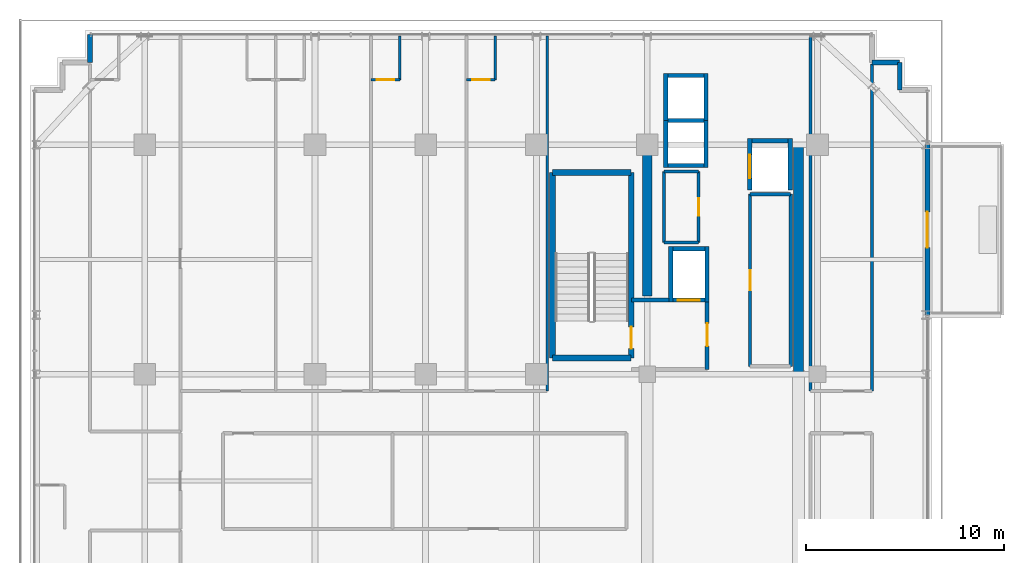
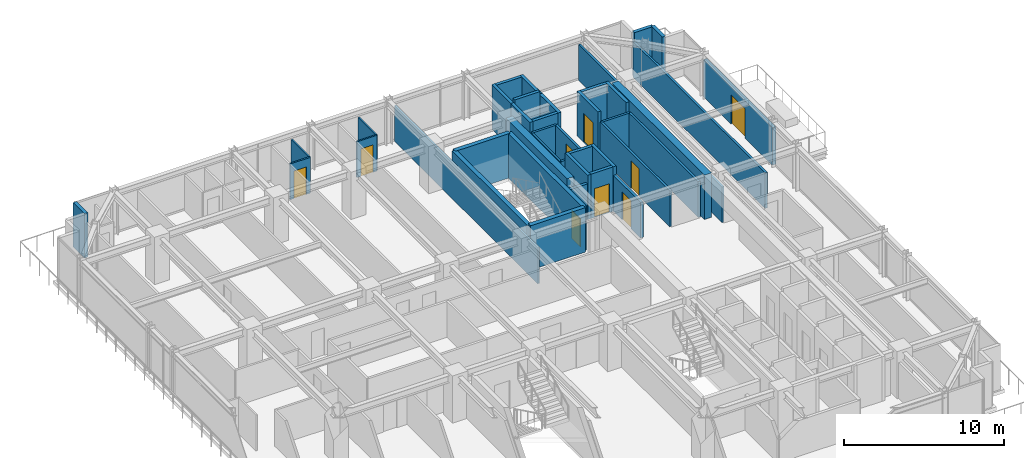
# One storey, part 28 of 33: 40 walls, 9 doors, 9 openings.
"""IFC4 building model written with IfcOpenShell, lengths in metres."""

from ifc_helpers import new_model, si_unit, direction, frame, frame_2d, origin, place, context, subcontext, project, spatial, rectangle, extrude, source, transform, mapped, material, layer, layer_set, type_object, element, fill, save


model = new_model("IFC4")

# Units and contexts
model_context = context("Model", 3, precision=1e-05, world=origin(), true_north=direction((0.0, 1.0)))
body_context = subcontext(model_context, "Body", "Model", "MODEL_VIEW")
ifc_project = project(units=[si_unit("LENGTHUNIT", "METRE"), si_unit("AREAUNIT", "SQUARE_METRE"), si_unit("VOLUMEUNIT", "CUBIC_METRE"), si_unit("PLANEANGLEUNIT", "RADIAN"), si_unit("MASSUNIT", "GRAM", prefix="KILO")], contexts=[model_context])

# Site, building, storey
site_placement = place(None, origin())
site = spatial("IfcSite", under=ifc_project, at=site_placement, CompositionType="ELEMENT")
building_placement = place(site_placement, origin())
building = spatial("IfcBuilding", under=site, at=building_placement, Name="Nahalor Promenade Grand Hotel", CompositionType="ELEMENT")
storey_placement = place(building_placement, frame((0.0, 0.0, 149.0)))
storey = spatial("IfcBuildingStorey", under=building, at=storey_placement, Name="L37", CompositionType="ELEMENT", Elevation=149.0)

# Walls
ifc_material_1 = material(Name="Concrete B-60 (C50/60)", Category="concrete")
ifc_layer_1 = layer(ifc_material_1, 0.5)
ifc_layer_set_1 = layer_set([ifc_layer_1], Name="Concrete B-60 (C50/60)")
wall_type_1 = type_object("IfcWallType", Name="Wall-CoreShear-500", PredefinedType="SHEAR", material=ifc_layer_set_1)
shared_shape_1 = source(origin(), body_context, "Body", "SweptSolid", [
    extrude(rectangle(XDim=7.64990234375, YDim=0.5, at=frame_2d((3.824951171875, 0.0))), origin(), (0.0, 0.0, 1.0), 3.389892578125),
])
wall_1_placement = place(storey_placement, frame((8.39990234375, 9.35009765625, 0.0), z_axis=(0.0, 0.0, 1.0), x_axis=(0.0, 1.0, 0.0)))
element("IfcWall", 1, at=wall_1_placement, inside=storey, type_object=wall_type_1, Name="CWALL-L37-NW", PredefinedType="SHEAR", context=body_context, shape_type="MappedRepresentation", body=[
    mapped(shared_shape_1, transform((0.0, 0.0, 0.0), scale=1.0)),
])
shared_shape_2 = source(origin(), body_context, "Body", "SweptSolid", [
    extrude(rectangle(XDim=11.60009765625, YDim=0.5, at=frame_2d((5.800048828125, 0.0))), origin(), (0.0, 0.0, 1.0), 3.389892578125),
])
wall_2_placement = place(storey_placement, frame((16.050048828125, 5.39990234375, 0.0), z_axis=(0.0, 0.0, 1.0), x_axis=(0.0, 1.0, 0.0)))
element("IfcWall", 2, at=wall_2_placement, inside=storey, type_object=wall_type_1, Name="CWALL-L37-NE", PredefinedType="SHEAR", context=body_context, shape_type="MappedRepresentation", body=[
    mapped(shared_shape_2, transform((0.0, 0.0, 0.0), scale=1.0)),
])
ifc_material_2 = material(Name="Concrete B-50 (C40/50)", Category="concrete")
ifc_layer_2 = layer(ifc_material_2, 0.300048828125)
ifc_layer_set_2 = layer_set([ifc_layer_2], Name="Concrete B-50 (C40/50)")
wall_type_2 = type_object("IfcWallType", Name="Wall-ShaftShear-300", PredefinedType="SHEAR", material=ifc_layer_set_2)
shared_shape_3 = source(origin(), body_context, "Body", "SweptSolid", [
    extrude(rectangle(XDim=3.97998046875, YDim=0.300048828125, at=frame_2d((1.989990234375, 0.0))), origin(), (0.0, 0.0, 1.0), 3.389892578125),
])
for number, where, z_axis, x_axis, name in (
    (3, (3.610107421875, 6.2099609375, 0.0), (0.0, 0.0, 1.0), (1.0, 0.0, 0.0), "L37 Exit Stair ST1 Shaft Wall S"),
    (4, (3.610107421875, 15.590087890625, 0.0), (0.0, 0.0, 1.0), (1.0, 0.0, 0.0), "L37 Exit Stair ST1 Shaft Wall N"),
):
    element("IfcWall", number, at=place(storey_placement, frame(where, z_axis=z_axis, x_axis=x_axis)), inside=storey, type_object=wall_type_2, Name=name, PredefinedType="SHEAR", context=body_context, shape_type="MappedRepresentation", body=[
        mapped(shared_shape_3, transform((0.0, 0.0, 0.0), scale=1.0)),
    ])
shared_shape_4 = source(origin(), body_context, "Body", "SweptSolid", [
    extrude(rectangle(XDim=9.380126953125, YDim=0.300048828125, at=frame_2d((4.68994140625, 0.0))), origin(), (0.0, 0.0, 1.0), 3.389892578125),
])
wall_3_placement = place(storey_placement, frame((3.610107421875, 6.2099609375, 0.0), z_axis=(0.0, 0.0, 1.0), x_axis=(0.0, 1.0, 0.0)))
element("IfcWall", 5, at=wall_3_placement, inside=storey, type_object=wall_type_2, Name="L37 Exit Stair ST1 Shaft Wall W", PredefinedType="SHEAR", context=body_context, shape_type="MappedRepresentation", body=[
    mapped(shared_shape_4, transform((0.0, 0.0, 0.0), scale=1.0)),
])

# Wall, opening, door
wall_4_placement = place(storey_placement, frame((7.590087890625, 6.2099609375, 0.0), z_axis=(0.0, 0.0, 1.0), x_axis=(0.0, 1.0, 0.0)))
wall_4 = element("IfcWall", 6, at=wall_4_placement, inside=storey, type_object=wall_type_2, Name="L37 Exit Stair ST1 Shaft Wall E", PredefinedType="SHEAR", context=body_context, shape_type="MappedRepresentation", body=[
    mapped(shared_shape_4, transform((0.0, 0.0, 0.0), scale=1.0)),
])
opening_1_placement = place(wall_4_placement, frame((0.489990234375, 0.0, 0.0)))
opening_1 = element("IfcOpeningElement", 7, at=opening_1_placement, cuts=wall_4, Name="Opening D-ST1", PredefinedType="OPENING", context=body_context, shape_type="SweptSolid", body=[
    extrude(rectangle(XDim=1.10009765625, YDim=2.14990234375, at=frame_2d((0.550048828125, 1.074951171875))), frame((0.0, 0.159912109375, 0.0), z_axis=(0.0, -1.0, 0.0), x_axis=(1.0, 0.0, 0.0)), (0.0, 0.0, 1.0), 0.320068359375),
])
ifc_material_3 = material(Name="Steel S355JR", Category="steel")
door_type_1 = type_object("IfcDoorType", Name="Door-StairFire-1100", OperationType="NOTDEFINED", PredefinedType="DOOR", material=ifc_material_3)
shared_shape_5 = source(origin(), body_context, "Body", "SweptSolid", [
    extrude(rectangle(XDim=1.10009765625, YDim=2.14990234375, at=frame_2d((0.550048828125, 1.074951171875))), frame((0.0, 0.02490234375, 0.0), z_axis=(0.0, -1.0, 0.0), x_axis=(1.0, 0.0, 0.0)), (0.0, 0.0, 1.0), 0.050048828125),
])
door_1_placement = place(opening_1_placement, origin())
door_1 = element("IfcDoor", 8, at=door_1_placement, inside=storey, type_object=door_type_1, Name="DR-STAIR-ST1-L37", OperationType="SINGLE_SWING_RIGHT", OverallHeight=2.14990234375, OverallWidth=1.10009765625, PredefinedType="DOOR", context=body_context, shape_type="MappedRepresentation", body=[
    mapped(shared_shape_5, transform((0.0, 0.0, 0.0), scale=1.0)),
])
fill(opening_1, door_1)

# Walls
ifc_layer_3 = layer(ifc_material_2, 0.219970703125)
ifc_layer_set_3 = layer_set([ifc_layer_3], Name="Concrete B-50 (C40/50)")
wall_type_3 = type_object("IfcWallType", Name="Wall-LiftShaft-220", PredefinedType="SHEAR", material=ifc_layer_set_3)
shared_shape_6 = source(origin(), body_context, "Body", "SweptSolid", [
    extrude(rectangle(XDim=1.820068359375, YDim=0.219970703125, at=frame_2d((0.91015625, 0.0))), origin(), (0.0, 0.0, 1.0), 3.64990234375),
])
wall_5_placement = place(storey_placement, frame((9.43994140625, 18.22509765625, 0.0), z_axis=(0.0, 0.0, 1.0), x_axis=(1.0, 0.0, 0.0)))
element("IfcWall", 9, at=wall_5_placement, inside=storey, type_object=wall_type_3, Name="L37 Lift OB1 Hoistway Wall N", PredefinedType="SHEAR", context=body_context, shape_type="MappedRepresentation", body=[
    mapped(shared_shape_6, transform((0.0, 0.0, 0.0), scale=1.0)),
])
shared_shape_7 = source(origin(), body_context, "Body", "SweptSolid", [
    extrude(rectangle(XDim=1.820068359375, YDim=0.219970703125, at=frame_2d((0.91015625, 0.0))), origin(), (0.0, 0.0, 1.0), 3.389892578125),
])
for number, where, z_axis, x_axis, name in (
    (10, (9.43994140625, 15.949951171875, 0.0), (0.0, 0.0, 1.0), (1.0, 0.0, 0.0), "L37 Lift OB1 Hoistway Wall S"),
    (11, (9.43994140625, 20.5, 0.0), (0.0, 0.0, 1.0), (1.0, 0.0, 0.0), "L37 Lift OB2 Hoistway Wall N"),
    (12, (13.68994140625, 17.199951171875, 0.0), (0.0, 0.0, 1.0), (1.0, 0.0, 0.0), "L37 Lift SV1 Hoistway Wall N"),
):
    element("IfcWall", number, at=place(storey_placement, frame(where, z_axis=z_axis, x_axis=x_axis)), inside=storey, type_object=wall_type_3, Name=name, PredefinedType="SHEAR", context=body_context, shape_type="MappedRepresentation", body=[
        mapped(shared_shape_7, transform((0.0, 0.0, 0.0), scale=1.0)),
    ])
shared_shape_8 = source(origin(), body_context, "Body", "SweptSolid", [
    extrude(rectangle(XDim=2.385009765625, YDim=0.219970703125, at=frame_2d((1.1923828125, 0.0))), origin(), (0.0, 0.0, 1.0), 3.389892578125),
])
for number, where, z_axis, x_axis, name in (
    (13, (9.330078125, 15.840087890625, 0.0), (0.0, 0.0, 1.0), (0.0, 1.0, 0.0), "L37 Lift OB1 Hoistway Wall W"),
    (14, (11.3701171875, 15.840087890625, 0.0), (0.0, 0.0, 1.0), (0.0, 1.0, 0.0), "L37 Lift OB1 Hoistway Wall E"),
    (15, (9.330078125, 18.22509765625, 0.0), (0.0, 0.0, 1.0), (0.0, 1.0, 0.0), "L37 Lift OB2 Hoistway Wall W"),
    (16, (11.3701171875, 18.22509765625, 0.0), (0.0, 0.0, 1.0), (0.0, 1.0, 0.0), "L37 Lift OB2 Hoistway Wall E"),
):
    element("IfcWall", number, at=place(storey_placement, frame(where, z_axis=z_axis, x_axis=x_axis)), inside=storey, type_object=wall_type_3, Name=name, PredefinedType="SHEAR", context=body_context, shape_type="MappedRepresentation", body=[
        mapped(shared_shape_8, transform((0.0, 0.0, 0.0), scale=1.0)),
    ])
shared_shape_9 = source(origin(), body_context, "Body", "SweptSolid", [
    extrude(rectangle(XDim=2.820068359375, YDim=0.219970703125, at=frame_2d((1.41015625, 0.0))), origin(), (0.0, 0.0, 1.0), 3.389892578125),
])
for number, where, z_axis, x_axis, name in (
    (17, (9.580078125, 9.0400390625, 0.0), (0.0, 0.0, 1.0), (0.0, 1.0, 0.0), "L37 Lift FL1 Hoistway Wall W"),
    (18, (11.419921875, 9.0400390625, 0.0), (0.0, 0.0, 1.0), (0.0, 1.0, 0.0), "L37 Lift FL1 Hoistway Wall E"),
):
    element("IfcWall", number, at=place(storey_placement, frame(where, z_axis=z_axis, x_axis=x_axis)), inside=storey, type_object=wall_type_3, Name=name, PredefinedType="SHEAR", context=body_context, shape_type="MappedRepresentation", body=[
        mapped(shared_shape_9, transform((0.0, 0.0, 0.0), scale=1.0)),
    ])

# Wall, opening, door
shared_shape_10 = source(origin(), body_context, "Body", "SweptSolid", [
    extrude(rectangle(XDim=1.6201171875, YDim=0.219970703125, at=frame_2d((0.81005859375, 0.0))), origin(), (0.0, 0.0, 1.0), 3.389892578125),
])
wall_6_placement = place(storey_placement, frame((9.68994140625, 9.14990234375, 0.0), z_axis=(0.0, 0.0, 1.0), x_axis=(1.0, 0.0, 0.0)))
wall_6 = element("IfcWall", 19, at=wall_6_placement, inside=storey, type_object=wall_type_3, Name="L37 Lift FL1 Hoistway Wall S", PredefinedType="SHEAR", context=body_context, shape_type="MappedRepresentation", body=[
    mapped(shared_shape_10, transform((0.0, 0.0, 0.0), scale=1.0)),
])
opening_2_placement = place(wall_6_placement, frame((0.260009765625, 0.0, 0.0)))
opening_2 = element("IfcOpeningElement", 20, at=opening_2_placement, cuts=wall_6, Name="Opening LD-02", PredefinedType="OPENING", context=body_context, shape_type="SweptSolid", body=[
    extrude(rectangle(XDim=1.10009765625, YDim=2.199951171875, at=frame_2d((0.550048828125, 1.10009765625))), frame((0.0, 0.119873046875, 0.0), z_axis=(0.0, -1.0, 0.0), x_axis=(1.0, 0.0, 0.0)), (0.0, 0.0, 1.0), 0.239990234375),
])
door_type_2 = type_object("IfcDoorType", Name="Door-LiftFF-1100", OperationType="DOUBLE_DOOR_SLIDING", PredefinedType="DOOR", material=ifc_material_3)
shared_shape_11 = source(origin(), body_context, "Body", "SweptSolid", [
    extrude(rectangle(XDim=1.10009765625, YDim=2.199951171875, at=frame_2d((0.550048828125, 1.10009765625))), frame((0.0, 0.02490234375, 0.0), z_axis=(0.0, -1.0, 0.0), x_axis=(1.0, 0.0, 0.0)), (0.0, 0.0, 1.0), 0.050048828125),
])
door_2_placement = place(opening_2_placement, frame((1.10009765625, 0.0, 0.0), z_axis=(0.0, 0.0, 1.0), x_axis=(-1.0, 0.0, 0.0)))
door_2 = element("IfcDoor", 21, at=door_2_placement, inside=storey, type_object=door_type_2, Name="DR-LIFT-FL1-L37", OperationType="DOUBLE_DOOR_SLIDING", OverallHeight=2.199951171875, OverallWidth=1.10009765625, PredefinedType="DOOR", context=body_context, shape_type="MappedRepresentation", body=[
    mapped(shared_shape_11, transform((0.0, 0.0, 0.0), scale=1.0)),
])
fill(opening_2, door_2)

# Wall
wall_7_placement = place(storey_placement, frame((9.68994140625, 11.75, 0.0), z_axis=(0.0, 0.0, 1.0), x_axis=(1.0, 0.0, 0.0)))
element("IfcWall", 22, at=wall_7_placement, inside=storey, type_object=wall_type_3, Name="L37 Lift FL1 Hoistway Wall N", PredefinedType="SHEAR", context=body_context, shape_type="MappedRepresentation", body=[
    mapped(shared_shape_10, transform((0.0, 0.0, 0.0), scale=1.0)),
])

# Wall, opening, door
shared_shape_12 = source(origin(), body_context, "Body", "SweptSolid", [
    extrude(rectangle(XDim=2.610107421875, YDim=0.219970703125, at=frame_2d((1.30517578125, 0.0))), origin(), (0.0, 0.0, 1.0), 3.389892578125),
])
wall_8_placement = place(storey_placement, frame((13.580078125, 14.699951171875, 0.0), z_axis=(0.0, 0.0, 1.0), x_axis=(0.0, 1.0, 0.0)))
wall_8 = element("IfcWall", 23, at=wall_8_placement, inside=storey, type_object=wall_type_3, Name="L37 Lift SV1 Hoistway Wall W", PredefinedType="SHEAR", context=body_context, shape_type="MappedRepresentation", body=[
    mapped(shared_shape_12, transform((0.0, 0.0, 0.0), scale=1.0)),
])
opening_3_placement = place(wall_8_placement, frame((0.60009765625, 0.0, 0.0)))
opening_3 = element("IfcOpeningElement", 24, at=opening_3_placement, cuts=wall_8, Name="Opening LD-03", PredefinedType="OPENING", context=body_context, shape_type="SweptSolid", body=[
    extrude(rectangle(XDim=1.199951171875, YDim=2.199951171875, at=frame_2d((0.60009765625, 1.10009765625))), frame((0.0, 0.119873046875, 0.0), z_axis=(0.0, -1.0, 0.0), x_axis=(1.0, 0.0, 0.0)), (0.0, 0.0, 1.0), 0.239990234375),
])
door_type_3 = type_object("IfcDoorType", Name="Door-LiftService-1200", OperationType="DOUBLE_DOOR_SLIDING", PredefinedType="DOOR", material=ifc_material_3)
shared_shape_13 = source(origin(), body_context, "Body", "SweptSolid", [
    extrude(rectangle(XDim=1.199951171875, YDim=2.199951171875, at=frame_2d((0.60009765625, 1.10009765625))), frame((0.0, 0.02490234375, 0.0), z_axis=(0.0, -1.0, 0.0), x_axis=(1.0, 0.0, 0.0)), (0.0, 0.0, 1.0), 0.050048828125),
])
door_3_placement = place(opening_3_placement, origin())
door_3 = element("IfcDoor", 25, at=door_3_placement, inside=storey, type_object=door_type_3, Name="DR-LIFT-SV1-L37", OperationType="DOUBLE_DOOR_SLIDING", OverallHeight=2.199951171875, OverallWidth=1.199951171875, PredefinedType="DOOR", context=body_context, shape_type="MappedRepresentation", body=[
    mapped(shared_shape_13, transform((0.0, 0.0, 0.0), scale=1.0)),
])
fill(opening_3, door_3)

# Walls
wall_9_placement = place(storey_placement, frame((15.6201171875, 14.699951171875, 0.0), z_axis=(0.0, 0.0, 1.0), x_axis=(0.0, 1.0, 0.0)))
element("IfcWall", 26, at=wall_9_placement, inside=storey, type_object=wall_type_3, Name="L37 Lift SV1 Hoistway Wall E", PredefinedType="SHEAR", context=body_context, shape_type="MappedRepresentation", body=[
    mapped(shared_shape_12, transform((0.0, 0.0, 0.0), scale=1.0)),
])
ifc_material_4 = material(Name="Concrete B-40 (C32/40)", Category="concrete")
ifc_layer_4 = layer(ifc_material_4, 0.25)
ifc_layer_set_4 = layer_set([ifc_layer_4], Name="Concrete B-40 (C32/40)")
wall_type_4 = type_object("IfcWallType", Name="Wall-BronzePier-250", PredefinedType="STANDARD", material=ifc_layer_set_4)
shared_shape_14 = source(origin(), body_context, "Body", "SweptSolid", [
    extrude(rectangle(XDim=1.400146484375, YDim=0.25, at=frame_2d((0.7001953125, 0.0))), origin(), (0.0, 0.0, 1.0), 3.389892578125),
])
wall_10_placement = place(storey_placement, frame((-19.760009765625, 21.159912109375, 0.0), z_axis=(0.0, 0.0, 1.0), x_axis=(0.0, 1.0, 0.0)))
element("IfcWall", 27, at=wall_10_placement, inside=storey, type_object=wall_type_4, Name="W-L37-SR-09", PredefinedType="STANDARD", context=body_context, shape_type="MappedRepresentation", body=[
    mapped(shared_shape_14, transform((0.0, 0.0, 0.0), scale=1.0)),
])
shared_shape_15 = source(origin(), body_context, "Body", "SweptSolid", [
    extrude(rectangle(XDim=1.39990234375, YDim=0.25, at=frame_2d((0.699951171875, 0.0))), origin(), (0.0, 0.0, 1.0), 3.389892578125),
])
for number, where, z_axis, x_axis, name in (
    (28, (21.159912109375, 19.760009765625, 0.0), (0.0, 0.0, 1.0), (0.0, 1.0, 0.0), "W-L37-SR-06"),
    (29, (19.760009765625, 21.159912109375, 0.0), (0.0, 0.0, 1.0), (1.0, 0.0, 0.0), "W-L37-SR-07"),
):
    element("IfcWall", number, at=place(storey_placement, frame(where, z_axis=z_axis, x_axis=x_axis)), inside=storey, type_object=wall_type_4, Name=name, PredefinedType="STANDARD", context=body_context, shape_type="MappedRepresentation", body=[
        mapped(shared_shape_15, transform((0.0, 0.0, 0.0), scale=1.0)),
    ])

# Wall, opening, door
ifc_layer_5 = layer(ifc_material_4, 0.260009765625)
ifc_layer_set_5 = layer_set([ifc_layer_5], Name="Concrete B-40 (C32/40)")
wall_type_5 = type_object("IfcWallType", Name="Wall-BalconyWall-260", PredefinedType="STANDARD", material=ifc_layer_set_5)
shared_shape_16 = source(origin(), body_context, "Body", "SweptSolid", [
    extrude(rectangle(XDim=8.60009765625, YDim=0.260009765625, at=frame_2d((4.300048828125, 0.0))), origin(), (0.0, 0.0, 1.0), 2.8701171875),
])
wall_11_placement = place(storey_placement, frame((22.56005859375, 8.39990234375, 0.0), z_axis=(0.0, 0.0, 1.0), x_axis=(0.0, 1.0, 0.0)))
wall_11 = element("IfcWall", 30, at=wall_11_placement, inside=storey, type_object=wall_type_5, Name="W-L37-BALC-E-2", PredefinedType="STANDARD", context=body_context, shape_type="MappedRepresentation", body=[
    mapped(shared_shape_16, transform((0.0, 0.0, 0.0), scale=1.0)),
])
opening_4_placement = place(wall_11_placement, frame((3.39990234375, 0.0, 0.0)))
opening_4 = element("IfcOpeningElement", 31, at=opening_4_placement, cuts=wall_11, Name="Opening D-BC1", PredefinedType="OPENING", context=body_context, shape_type="SweptSolid", body=[
    extrude(rectangle(XDim=1.800048828125, YDim=2.25, at=frame_2d((0.89990234375, 1.125))), frame((0.0, 0.139892578125, 0.0), z_axis=(0.0, -1.0, 0.0), x_axis=(1.0, 0.0, 0.0)), (0.0, 0.0, 1.0), 0.280029296875),
])
ifc_material_5 = material(Name="Anodised Bronze Aluminium EN AW-6063 T6", Category="aluminium")
door_type_4 = type_object("IfcDoorType", Name="Door-BalconySlide-1800", OperationType="DOUBLE_DOOR_SLIDING", PredefinedType="DOOR", material=ifc_material_5)
shared_shape_17 = source(origin(), body_context, "Body", "SweptSolid", [
    extrude(rectangle(XDim=1.800048828125, YDim=2.25, at=frame_2d((0.89990234375, 1.125))), frame((0.0, 0.02490234375, 0.0), z_axis=(0.0, -1.0, 0.0), x_axis=(1.0, 0.0, 0.0)), (0.0, 0.0, 1.0), 0.050048828125),
])
door_4_placement = place(opening_4_placement, frame((1.800048828125, 0.0, 0.0), z_axis=(0.0, 0.0, 1.0), x_axis=(-1.0, 0.0, 0.0)))
door_4 = element("IfcDoor", 32, at=door_4_placement, inside=storey, type_object=door_type_4, Name="DR-L37-BALC-E-2", OperationType="DOUBLE_DOOR_SLIDING", OverallHeight=2.25, OverallWidth=1.800048828125, PredefinedType="DOOR", context=body_context, shape_type="MappedRepresentation", body=[
    mapped(shared_shape_17, transform((0.0, 0.0, 0.0), scale=1.0)),
])
fill(opening_4, door_4)

# Wall
ifc_layer_6 = layer(ifc_material_4, 0.199951171875)
ifc_layer_set_6 = layer_set([ifc_layer_6], Name="Concrete B-40 (C32/40)")
wall_type_6 = type_object("IfcWallType", Name="Wall-PartFire-200", PredefinedType="PARTITIONING", material=ifc_layer_set_6)
shared_shape_18 = source(origin(), body_context, "Body", "SweptSolid", [
    extrude(rectangle(XDim=1.89990234375, YDim=0.199951171875, at=frame_2d((0.949951171875, 0.0))), origin(), (0.0, 0.0, 1.0), 2.72998046875),
])
wall_12_placement = place(storey_placement, frame((7.60009765625, 9.14990234375, 0.0), z_axis=(0.0, 0.0, 1.0), x_axis=(1.0, 0.0, 0.0)))
element("IfcWall", 33, at=wall_12_placement, inside=storey, type_object=wall_type_6, Name="W-L37-FF1-N", PredefinedType="PARTITIONING", context=body_context, shape_type="MappedRepresentation", body=[
    mapped(shared_shape_18, transform((0.0, 0.0, 0.0), scale=1.0)),
])

# Wall, opening, door
shared_shape_19 = source(origin(), body_context, "Body", "SweptSolid", [
    extrude(rectangle(XDim=3.5, YDim=0.199951171875, at=frame_2d((1.75, 0.0))), origin(), (0.0, 0.0, 1.0), 2.72998046875),
])
wall_13_placement = place(storey_placement, frame((11.419921875, 5.64990234375, 0.0), z_axis=(0.0, 0.0, 1.0), x_axis=(0.0, 1.0, 0.0)))
wall_13 = element("IfcWall", 34, at=wall_13_placement, inside=storey, type_object=wall_type_6, Name="W-L37-FF1-E", PredefinedType="PARTITIONING", context=body_context, shape_type="MappedRepresentation", body=[
    mapped(shared_shape_19, transform((0.0, 0.0, 0.0), scale=1.0)),
])
opening_5_placement = place(wall_13_placement, frame((1.175048828125, 0.0, 0.0)))
opening_5 = element("IfcOpeningElement", 35, at=opening_5_placement, cuts=wall_13, Name="Opening D-FF1", PredefinedType="OPENING", context=body_context, shape_type="SweptSolid", body=[
    extrude(rectangle(XDim=1.14990234375, YDim=2.14990234375, at=frame_2d((0.574951171875, 1.074951171875))), frame((0.0, 0.10986328125, 0.0), z_axis=(0.0, -1.0, 0.0), x_axis=(1.0, 0.0, 0.0)), (0.0, 0.0, 1.0), 0.219970703125),
])
door_type_5 = type_object("IfcDoorType", Name="Door-FFLobby-1150", OperationType="NOTDEFINED", PredefinedType="DOOR", material=ifc_material_3)
shared_shape_20 = source(origin(), body_context, "Body", "SweptSolid", [
    extrude(rectangle(XDim=1.14990234375, YDim=2.14990234375, at=frame_2d((0.574951171875, 1.074951171875))), frame((0.0, 0.02490234375, 0.0), z_axis=(0.0, -1.0, 0.0), x_axis=(1.0, 0.0, 0.0)), (0.0, 0.0, 1.0), 0.050048828125),
])
door_5_placement = place(opening_5_placement, frame((1.14990234375, 0.0, 0.0), z_axis=(0.0, 0.0, 1.0), x_axis=(-1.0, 0.0, 0.0)))
door_5 = element("IfcDoor", 36, at=door_5_placement, inside=storey, type_object=door_type_5, Name="DR-L37-FFL1", OperationType="SINGLE_SWING_LEFT", OverallHeight=2.14990234375, OverallWidth=1.14990234375, PredefinedType="DOOR", context=body_context, shape_type="MappedRepresentation", body=[
    mapped(shared_shape_20, transform((0.0, 0.0, 0.0), scale=1.0)),
])
fill(opening_5, door_5)

# Walls
ifc_material_6 = material(Name="Acoustic Mineral Gypsum", Category="gypsum")
ifc_layer_7 = layer(ifc_material_6, 0.14990234375)
ifc_layer_set_7 = layer_set([ifc_layer_7], Name="Acoustic Mineral Gypsum")
wall_type_7 = type_object("IfcWallType", Name="Wall-PartService-150", PredefinedType="PARTITIONING", material=ifc_layer_set_7)
shared_shape_21 = source(origin(), body_context, "Body", "SweptSolid", [
    extrude(rectangle(XDim=1.75, YDim=0.14990234375, at=frame_2d((0.875, 0.0))), origin(), (0.0, 0.0, 1.0), 2.72998046875),
])
for number, where, z_axis, x_axis, name in (
    (37, (9.25, 12.050048828125, 0.0), (0.0, 0.0, 1.0), (1.0, 0.0, 0.0), "W-L37-CK1A-S"),
    (38, (9.25, 15.64990234375, 0.0), (0.0, 0.0, 1.0), (1.0, 0.0, 0.0), "W-L37-CK1A-N"),
):
    element("IfcWall", number, at=place(storey_placement, frame(where, z_axis=z_axis, x_axis=x_axis)), inside=storey, type_object=wall_type_7, Name=name, PredefinedType="PARTITIONING", context=body_context, shape_type="MappedRepresentation", body=[
        mapped(shared_shape_21, transform((0.0, 0.0, 0.0), scale=1.0)),
    ])
shared_shape_22 = source(origin(), body_context, "Body", "SweptSolid", [
    extrude(rectangle(XDim=3.599853515625, YDim=0.14990234375, at=frame_2d((1.7998046875, 0.0))), origin(), (0.0, 0.0, 1.0), 2.72998046875),
])
wall_14_placement = place(storey_placement, frame((9.25, 12.050048828125, 0.0), z_axis=(0.0, 0.0, 1.0), x_axis=(0.0, 1.0, 0.0)))
element("IfcWall", 39, at=wall_14_placement, inside=storey, type_object=wall_type_7, Name="W-L37-CK1A-W", PredefinedType="PARTITIONING", context=body_context, shape_type="MappedRepresentation", body=[
    mapped(shared_shape_22, transform((0.0, 0.0, 0.0), scale=1.0)),
])

# Wall, opening, door
wall_15_placement = place(storey_placement, frame((11.0, 12.050048828125, 0.0), z_axis=(0.0, 0.0, 1.0), x_axis=(0.0, 1.0, 0.0)))
wall_15 = element("IfcWall", 40, at=wall_15_placement, inside=storey, type_object=wall_type_7, Name="W-L37-CK1A-E", PredefinedType="PARTITIONING", context=body_context, shape_type="MappedRepresentation", body=[
    mapped(shared_shape_22, transform((0.0, 0.0, 0.0), scale=1.0)),
])
opening_6_placement = place(wall_15_placement, frame((1.360107421875, 0.0, 0.0)))
opening_6 = element("IfcOpeningElement", 41, at=opening_6_placement, cuts=wall_15, Name="Opening D-03", PredefinedType="OPENING", context=body_context, shape_type="SweptSolid", body=[
    extrude(rectangle(XDim=0.8798828125, YDim=2.10009765625, at=frame_2d((0.43994140625, 1.050048828125))), frame((0.0, 0.0849609375, 0.0), z_axis=(0.0, -1.0, 0.0), x_axis=(1.0, 0.0, 0.0)), (0.0, 0.0, 1.0), 0.169921875),
])
ifc_material_7 = material(Name="Fire-Rated Timber Composite", Category="wood")
door_type_6 = type_object("IfcDoorType", Name="Door-BathSwing-880", OperationType="NOTDEFINED", PredefinedType="DOOR", material=ifc_material_7)
shared_shape_23 = source(origin(), body_context, "Body", "SweptSolid", [
    extrude(rectangle(XDim=0.8798828125, YDim=2.10009765625, at=frame_2d((0.43994140625, 1.050048828125))), frame((0.0, 0.02490234375, 0.0), z_axis=(0.0, -1.0, 0.0), x_axis=(1.0, 0.0, 0.0)), (0.0, 0.0, 1.0), 0.050048828125),
])
door_6_placement = place(opening_6_placement, origin())
door_6 = element("IfcDoor", 42, at=door_6_placement, inside=storey, type_object=door_type_6, Name="DR-L37-CK1A", OperationType="SINGLE_SWING_LEFT", OverallHeight=2.10009765625, OverallWidth=0.8798828125, PredefinedType="DOOR", context=body_context, shape_type="MappedRepresentation", body=[
    mapped(shared_shape_23, transform((0.0, 0.0, 0.0), scale=1.0)),
])
fill(opening_6, door_6)

# Wall
ifc_layer_8 = layer(ifc_material_6, 0.159912109375)
ifc_layer_set_8 = layer_set([ifc_layer_8], Name="Acoustic Mineral Gypsum")
wall_type_8 = type_object("IfcWallType", Name="Wall-PartCorridor-160", PredefinedType="PARTITIONING", material=ifc_layer_set_8)
shared_shape_24 = source(origin(), body_context, "Body", "SweptSolid", [
    extrude(rectangle(XDim=2.0498046875, YDim=0.159912109375, at=frame_2d((1.02490234375, 0.0))), origin(), (0.0, 0.0, 1.0), 2.72998046875),
])
wall_16_placement = place(storey_placement, frame((13.60009765625, 14.5, 0.0), z_axis=(0.0, 0.0, 1.0), x_axis=(1.0, 0.0, 0.0)))
element("IfcWall", 43, at=wall_16_placement, inside=storey, type_object=wall_type_8, Name="W-L37-FRB1-N", PredefinedType="PARTITIONING", context=body_context, shape_type="MappedRepresentation", body=[
    mapped(shared_shape_24, transform((0.0, 0.0, 0.0), scale=1.0)),
])

# Wall, opening, door
shared_shape_25 = source(origin(), body_context, "Body", "SweptSolid", [
    extrude(rectangle(XDim=8.699951171875, YDim=0.159912109375, at=frame_2d((4.35009765625, 0.0))), origin(), (0.0, 0.0, 1.0), 2.72998046875),
])
wall_17_placement = place(storey_placement, frame((13.60009765625, 5.800048828125, 0.0), z_axis=(0.0, 0.0, 1.0), x_axis=(0.0, 1.0, 0.0)))
wall_17 = element("IfcWall", 44, at=wall_17_placement, inside=storey, type_object=wall_type_8, Name="W-L37-FRB1-W", PredefinedType="PARTITIONING", context=body_context, shape_type="MappedRepresentation", body=[
    mapped(shared_shape_25, transform((0.0, 0.0, 0.0), scale=1.0)),
])
opening_7_placement = place(wall_17_placement, frame((3.85009765625, 0.0, 0.0)))
opening_7 = element("IfcOpeningElement", 45, at=opening_7_placement, cuts=wall_17, Name="Opening D-04", PredefinedType="OPENING", context=body_context, shape_type="SweptSolid", body=[
    extrude(rectangle(XDim=1.0, YDim=2.10009765625, at=frame_2d((0.5, 1.050048828125))), frame((0.0, 0.08984375, 0.0), z_axis=(0.0, -1.0, 0.0), x_axis=(1.0, 0.0, 0.0)), (0.0, 0.0, 1.0), 0.179931640625),
])
door_type_7 = type_object("IfcDoorType", Name="Door-ServiceFire-1000", OperationType="NOTDEFINED", PredefinedType="DOOR", material=ifc_material_3)
shared_shape_26 = source(origin(), body_context, "Body", "SweptSolid", [
    extrude(rectangle(XDim=1.0, YDim=2.10009765625, at=frame_2d((0.5, 1.050048828125))), frame((0.0, 0.02490234375, 0.0), z_axis=(0.0, -1.0, 0.0), x_axis=(1.0, 0.0, 0.0)), (0.0, 0.0, 1.0), 0.050048828125),
])
door_7_placement = place(opening_7_placement, frame((1.0, 0.0, 0.0), z_axis=(0.0, 0.0, 1.0), x_axis=(-1.0, 0.0, 0.0)))
door_7 = element("IfcDoor", 46, at=door_7_placement, inside=storey, type_object=door_type_7, Name="DR-L37-FRB1", OperationType="SINGLE_SWING_RIGHT", OverallHeight=2.10009765625, OverallWidth=1.0, PredefinedType="DOOR", context=body_context, shape_type="MappedRepresentation", body=[
    mapped(shared_shape_26, transform((0.0, 0.0, 0.0), scale=1.0)),
])
fill(opening_7, door_7)

# Walls
wall_18_placement = place(storey_placement, frame((15.64990234375, 5.800048828125, 0.0), z_axis=(0.0, 0.0, 1.0), x_axis=(0.0, 1.0, 0.0)))
element("IfcWall", 47, at=wall_18_placement, inside=storey, type_object=wall_type_8, Name="W-L37-FRB1-E", PredefinedType="PARTITIONING", context=body_context, shape_type="MappedRepresentation", body=[
    mapped(shared_shape_25, transform((0.0, 0.0, 0.0), scale=1.0)),
])
shared_shape_27 = source(origin(), body_context, "Body", "SweptSolid", [
    extrude(rectangle(XDim=17.949951171875, YDim=0.159912109375, at=frame_2d((8.97509765625, 0.0))), origin(), (0.0, 0.0, 1.0), 2.72998046875),
])
wall_19_placement = place(storey_placement, frame((16.64990234375, 4.550048828125, 0.0), z_axis=(0.0, 0.0, 1.0), x_axis=(0.0, 1.0, 0.0)))
element("IfcWall", 48, at=wall_19_placement, inside=storey, type_object=wall_type_8, Name="W-L37-ENE-W", PredefinedType="PARTITIONING", context=body_context, shape_type="MappedRepresentation", body=[
    mapped(shared_shape_27, transform((0.0, 0.0, 0.0), scale=1.0)),
])
shared_shape_28 = source(origin(), body_context, "Body", "SweptSolid", [
    extrude(rectangle(XDim=16.530029296875, YDim=0.159912109375, at=frame_2d((8.26513671875, 0.0))), origin(), (0.0, 0.0, 1.0), 2.72998046875),
])
wall_20_placement = place(storey_placement, frame((19.760009765625, 4.550048828125, 0.0), z_axis=(0.0, 0.0, 1.0), x_axis=(0.0, 1.0, 0.0)))
element("IfcWall", 49, at=wall_20_placement, inside=storey, type_object=wall_type_8, Name="W-L37-ENE-E", PredefinedType="PARTITIONING", context=body_context, shape_type="MappedRepresentation", body=[
    mapped(shared_shape_28, transform((0.0, 0.0, 0.0), scale=1.0)),
])

# Wall, opening, door
ifc_layer_9 = layer(ifc_material_6, 0.1201171875)
ifc_layer_set_9 = layer_set([ifc_layer_9], Name="Acoustic Mineral Gypsum")
wall_type_9 = type_object("IfcWallType", Name="Wall-PartBath-120", PredefinedType="PARTITIONING", material=ifc_layer_set_9)
shared_shape_29 = source(origin(), body_context, "Body", "SweptSolid", [
    extrude(rectangle(XDim=1.449951171875, YDim=0.1201171875, at=frame_2d((0.72509765625, 0.0))), origin(), (0.0, 0.0, 1.0), 2.72998046875),
])
wall_21_placement = place(storey_placement, frame((-0.739013671875, 20.280029296875, 0.0), z_axis=(0.0, 0.0, 1.0), x_axis=(1.0, 0.0, 0.0)))
wall_21 = element("IfcWall", 50, at=wall_21_placement, inside=storey, type_object=wall_type_9, Name="W-L37-N4-BH", PredefinedType="PARTITIONING", context=body_context, shape_type="MappedRepresentation", body=[
    mapped(shared_shape_29, transform((0.0, 0.0, 0.0), scale=1.0)),
])
opening_8_placement = place(wall_21_placement, frame((0.284912109375, 0.0, 0.0)))
opening_8 = element("IfcOpeningElement", 51, at=opening_8_placement, cuts=wall_21, Name="Opening D-03", PredefinedType="OPENING", context=body_context, shape_type="SweptSolid", body=[
    extrude(rectangle(XDim=0.8798828125, YDim=2.10009765625, at=frame_2d((0.43994140625, 1.050048828125))), frame((0.0, 0.070068359375, 0.0), z_axis=(0.0, -1.0, 0.0), x_axis=(1.0, 0.0, 0.0)), (0.0, 0.0, 1.0), 0.14013671875),
])
door_8_placement = place(opening_8_placement, origin())
door_8 = element("IfcDoor", 52, at=door_8_placement, inside=storey, type_object=door_type_6, Name="DR-L37-N4-BATH", OperationType="SINGLE_SWING_LEFT", OverallHeight=2.10009765625, OverallWidth=0.8798828125, PredefinedType="DOOR", context=body_context, shape_type="MappedRepresentation", body=[
    mapped(shared_shape_23, transform((0.0, 0.0, 0.0), scale=1.0)),
])
fill(opening_8, door_8)

# Walls
shared_shape_30 = source(origin(), body_context, "Body", "SweptSolid", [
    extrude(rectangle(XDim=2.219970703125, YDim=0.1201171875, at=frame_2d((1.10986328125, 0.0))), origin(), (0.0, 0.0, 1.0), 2.72998046875),
])
for number, where, z_axis, x_axis, name in (
    (53, (-4.10888671875, 20.280029296875, 0.0), (0.0, 0.0, 1.0), (0.0, 1.0, 0.0), "W-L37-N3-BV"),
    (54, (0.7109375, 20.280029296875, 0.0), (0.0, 0.0, 1.0), (0.0, 1.0, 0.0), "W-L37-N4-BV"),
):
    element("IfcWall", number, at=place(storey_placement, frame(where, z_axis=z_axis, x_axis=x_axis)), inside=storey, type_object=wall_type_9, Name=name, PredefinedType="PARTITIONING", context=body_context, shape_type="MappedRepresentation", body=[
        mapped(shared_shape_30, transform((0.0, 0.0, 0.0), scale=1.0)),
    ])
ifc_layer_10 = layer(ifc_material_6, 0.139892578125)
ifc_layer_set_10 = layer_set([ifc_layer_10], Name="Acoustic Mineral Gypsum")
wall_type_10 = type_object("IfcWallType", Name="Wall-PartSuite-140", PredefinedType="PARTITIONING", material=ifc_layer_set_10)
shared_shape_31 = source(origin(), body_context, "Body", "SweptSolid", [
    extrude(rectangle(XDim=17.949951171875, YDim=0.139892578125, at=frame_2d((8.97509765625, 0.0))), origin(), (0.0, 0.0, 1.0), 2.72998046875),
])
wall_22_placement = place(storey_placement, frame((3.340087890625, 4.550048828125, 0.0), z_axis=(0.0, 0.0, 1.0), x_axis=(0.0, 1.0, 0.0)))
element("IfcWall", 55, at=wall_22_placement, inside=storey, type_object=wall_type_10, Name="W-L37-NW-ENDE", PredefinedType="PARTITIONING", context=body_context, shape_type="MappedRepresentation", body=[
    mapped(shared_shape_31, transform((0.0, 0.0, 0.0), scale=1.0)),
])

# Wall, opening, door
shared_shape_32 = source(origin(), body_context, "Body", "SweptSolid", [
    extrude(rectangle(XDim=1.4501953125, YDim=0.1201171875, at=frame_2d((0.72509765625, 0.0))), origin(), (0.0, 0.0, 1.0), 2.72998046875),
])
wall_23_placement = place(storey_placement, frame((-5.55908203125, 20.280029296875, 0.0), z_axis=(0.0, 0.0, 1.0), x_axis=(1.0, 0.0, 0.0)))
wall_23 = element("IfcWall", 56, at=wall_23_placement, inside=storey, type_object=wall_type_9, Name="W-L37-N3-BH", PredefinedType="PARTITIONING", context=body_context, shape_type="MappedRepresentation", body=[
    mapped(shared_shape_32, transform((0.0, 0.0, 0.0), scale=1.0)),
])
opening_9_placement = place(wall_23_placement, frame((0.284912109375, 0.0, 0.0)))
opening_9 = element("IfcOpeningElement", 57, at=opening_9_placement, cuts=wall_23, Name="Opening D-03", PredefinedType="OPENING", context=body_context, shape_type="SweptSolid", body=[
    extrude(rectangle(XDim=0.8798828125, YDim=2.10009765625, at=frame_2d((0.43994140625, 1.050048828125))), frame((0.0, 0.070068359375, 0.0), z_axis=(0.0, -1.0, 0.0), x_axis=(1.0, 0.0, 0.0)), (0.0, 0.0, 1.0), 0.14013671875),
])
door_9_placement = place(opening_9_placement, origin())
door_9 = element("IfcDoor", 58, at=door_9_placement, inside=storey, type_object=door_type_6, Name="DR-L37-N3-BATH", OperationType="SINGLE_SWING_LEFT", OverallHeight=2.10009765625, OverallWidth=0.8798828125, PredefinedType="DOOR", context=body_context, shape_type="MappedRepresentation", body=[
    mapped(shared_shape_23, transform((0.0, 0.0, 0.0), scale=1.0)),
])
fill(opening_9, door_9)

save(model, "model.ifc")
